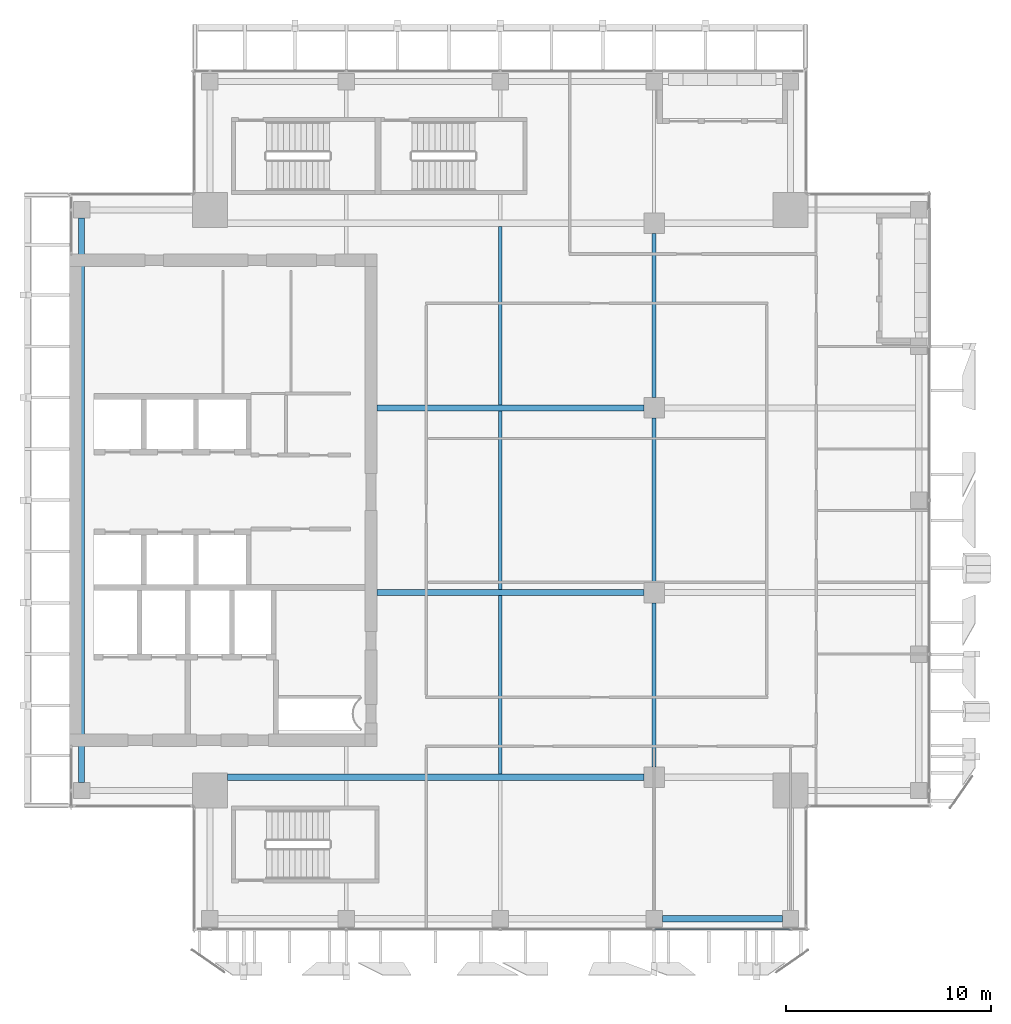
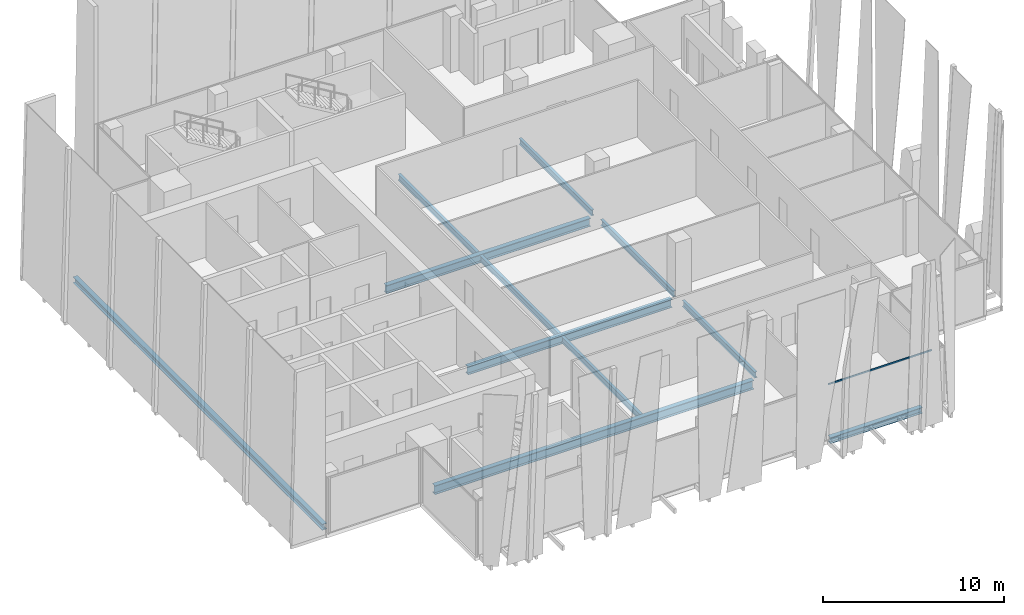
# One storey, part 7 of 33: 11 beams, 1 member, 1 element without a shape of its own.
"""IFC4 building model written with IfcOpenShell, lengths in metres."""

from ifc_helpers import new_model, si_unit, direction, frame, origin, origin_2d, place, context, subcontext, project, spatial, hollow_rectangle, i_section, extrude, source, transform, mapped, material, material_profile, profile_set, type_object, element, aggregate, save


model = new_model("IFC4")

# Units and contexts
model_context = context("Model", 3, precision=1e-05, world=origin(), true_north=direction((0.0, 1.0)))
body_context = subcontext(model_context, "Body", "Model", "MODEL_VIEW")
ifc_project = project(units=[si_unit("LENGTHUNIT", "METRE"), si_unit("AREAUNIT", "SQUARE_METRE"), si_unit("VOLUMEUNIT", "CUBIC_METRE"), si_unit("PLANEANGLEUNIT", "RADIAN"), si_unit("MASSUNIT", "GRAM", prefix="KILO")], contexts=[model_context])

# Site, building, storey
site_placement = place(None, origin())
site = spatial("IfcSite", under=ifc_project, at=site_placement, CompositionType="ELEMENT")
building_placement = place(site_placement, origin())
building = spatial("IfcBuilding", under=site, at=building_placement, Name="Khomas Fold Tower", CompositionType="ELEMENT")
storey_placement = place(building_placement, frame((0.0, 0.0, 294.199951171875)))
storey = spatial("IfcBuildingStorey", under=building, at=storey_placement, Name="L66", CompositionType="ELEMENT", Elevation=294.199951171875)

# Beams
ifc_material_1 = material(Name="Steel S355", Category="steel")
ifc_material_profile_1 = material_profile(ifc_material_1, i_section(OverallWidth=0.179931640625, OverallDepth=0.39990234375, WebThickness=0.008544921875, FlangeThickness=0.013427734375, at=origin_2d()), Name="IPE 400")
ifc_profile_set_1 = profile_set([ifc_material_profile_1], Name="Steel S355")
beam_type_1 = type_object("IfcBeamType", Name="IPE 400 beam JB3", PredefinedType="BEAM", material=ifc_profile_set_1)
shared_shape_1 = source(origin(), body_context, "Body", "SweptSolid", [
    extrude(i_section(OverallWidth=0.179931640625, OverallDepth=0.39990234375, WebThickness=0.008544921875, FlangeThickness=0.013427734375, at=origin_2d()), origin(), (0.0, 0.0, 1.0), 8.7001953125),
])
for number, where, z_axis, x_axis, name in (
    (1, (27.0, 13.64990234375, -0.449951171875), (0.0, 1.0, 0.0), (-1.0, 0.0, 0.0), "JB3"),
    (2, (27.0, 22.64990234375, -0.449951171875), (0.0, 1.0, 0.0), (-1.0, 0.0, 0.0), "JB3"),
    (3, (27.0, 31.64990234375, -0.449951171875), (0.0, 1.0, 0.0), (-1.0, 0.0, 0.0), "JB3"),
):
    element("IfcBeam", number, at=place(storey_placement, frame(where, z_axis=z_axis, x_axis=x_axis)), inside=storey, type_object=beam_type_1, Name=name, PredefinedType="BEAM", context=body_context, shape_type="MappedRepresentation", body=[
        mapped(shared_shape_1, transform((0.0, 0.0, 0.0))),
    ])
ifc_material_2 = material(Name="Steel S355", Category="steel")
ifc_material_profile_2 = material_profile(ifc_material_2, i_section(OverallWidth=0.300048828125, OverallDepth=0.39990234375, WebThickness=0.013427734375, FlangeThickness=0.02392578125, at=origin_2d()), Name="HE 400 B")
ifc_profile_set_2 = profile_set([ifc_material_profile_2], Name="Steel S355")
beam_type_2 = type_object("IfcBeamType", Name="HE 400 B spandrel SB5", PredefinedType="SPANDREL", material=ifc_profile_set_2)
shared_shape_2 = source(origin(), body_context, "Body", "SweptSolid", [
    extrude(i_section(OverallWidth=0.300048828125, OverallDepth=0.39990234375, WebThickness=0.013427734375, FlangeThickness=0.02392578125, at=origin_2d()), origin(), (0.0, 0.0, 1.0), 5.85009765625),
])
beam_1_placement = place(storey_placement, frame((34.89990234375, 6.60009765625, -0.449951171875), z_axis=(1.0, 0.0, 0.0), x_axis=(0.0, 1.0, 0.0)))
element("IfcBeam", 4, at=beam_1_placement, inside=storey, type_object=beam_type_2, Name="SB5", PredefinedType="SPANDREL", context=body_context, shape_type="MappedRepresentation", body=[
    mapped(shared_shape_2, transform((0.0, 0.0, 0.0))),
])
shared_shape_3 = source(origin(), body_context, "Body", "SweptSolid", [
    extrude(i_section(OverallWidth=0.300048828125, OverallDepth=0.39990234375, WebThickness=0.013427734375, FlangeThickness=0.02392578125, at=origin_2d()), origin(), (0.0, 0.0, 1.0), 27.5),
])
beam_2_placement = place(storey_placement, frame((6.60009765625, 13.25, -0.449951171875), z_axis=(0.0, 1.0, 0.0), x_axis=(-1.0, 0.0, 0.0)))
element("IfcBeam", 5, at=beam_2_placement, inside=storey, type_object=beam_type_2, Name="SB5", PredefinedType="SPANDREL", context=body_context, shape_type="MappedRepresentation", body=[
    mapped(shared_shape_3, transform((0.0, 0.0, 0.0))),
])
ifc_material_3 = material(Name="Steel S355", Category="steel")
ifc_material_profile_3 = material_profile(ifc_material_3, i_section(OverallWidth=0.300048828125, OverallDepth=0.60009765625, WebThickness=0.015380859375, FlangeThickness=0.030029296875, at=origin_2d()), Name="HE 600 B")
ifc_profile_set_3 = profile_set([ifc_material_profile_3], Name="Steel S355")
beam_type_3 = type_object("IfcBeamType", Name="HE 600 B beam GB5", PredefinedType="BEAM", material=ifc_profile_set_3)
shared_shape_4 = source(origin(), body_context, "Body", "SweptSolid", [
    extrude(i_section(OverallWidth=0.300048828125, OverallDepth=0.60009765625, WebThickness=0.015380859375, FlangeThickness=0.030029296875, at=origin_2d()), origin(), (0.0, 0.0, 1.0), 20.300048828125),
])
beam_3_placement = place(storey_placement, frame((13.699951171875, 13.5, -0.550048828125), z_axis=(1.0, 0.0, 0.0), x_axis=(0.0, 1.0, 0.0)))
element("IfcBeam", 6, at=beam_3_placement, inside=storey, type_object=beam_type_3, Name="GB5", PredefinedType="BEAM", context=body_context, shape_type="MappedRepresentation", body=[
    mapped(shared_shape_4, transform((0.0, 0.0, 0.0))),
])
ifc_material_4 = material(Name="Steel S355", Category="steel")
ifc_material_profile_4 = material_profile(ifc_material_4, i_section(OverallWidth=0.300048828125, OverallDepth=0.550048828125, WebThickness=0.014892578125, FlangeThickness=0.029052734375, at=origin_2d()), Name="HE 550 B")
ifc_profile_set_4 = profile_set([ifc_material_profile_4], Name="Steel S355")
beam_type_4 = type_object("IfcBeamType", Name="HE 550 B beam GB4", PredefinedType="BEAM", material=ifc_profile_set_4)
shared_shape_5 = source(origin(), body_context, "Body", "SweptSolid", [
    extrude(i_section(OverallWidth=0.300048828125, OverallDepth=0.550048828125, WebThickness=0.014892578125, FlangeThickness=0.029052734375, at=origin_2d()), origin(), (0.0, 0.0, 1.0), 13.0),
])
for number, where, z_axis, x_axis, name in (
    (7, (21.0, 22.5, -0.52490234375), (1.0, 0.0, 0.0), (0.0, 1.0, 0.0), "GB4"),
    (8, (21.0, 31.5, -0.52490234375), (1.0, 0.0, 0.0), (0.0, 1.0, 0.0), "GB4"),
):
    element("IfcBeam", number, at=place(storey_placement, frame(where, z_axis=z_axis, x_axis=x_axis)), inside=storey, type_object=beam_type_4, Name=name, PredefinedType="BEAM", context=body_context, shape_type="MappedRepresentation", body=[
        mapped(shared_shape_5, transform((0.0, 0.0, 0.0))),
    ])
shared_shape_6 = source(origin(), body_context, "Body", "SweptSolid", [
    extrude(i_section(OverallWidth=0.179931640625, OverallDepth=0.39990234375, WebThickness=0.008544921875, FlangeThickness=0.013427734375, at=origin_2d()), origin(), (0.0, 0.0, 1.0), 8.0),
])
for number, where, z_axis, x_axis, name in (
    (9, (34.5, 14.0, -0.449951171875), (0.0, 1.0, 0.0), (-1.0, 0.0, 0.0), "JB3"),
    (10, (34.5, 23.0, -0.449951171875), (0.0, 1.0, 0.0), (-1.0, 0.0, 0.0), "JB3"),
    (11, (34.5, 32.0, -0.449951171875), (0.0, 1.0, 0.0), (-1.0, 0.0, 0.0), "JB3"),
):
    element("IfcBeam", number, at=place(storey_placement, frame(where, z_axis=z_axis, x_axis=x_axis)), inside=storey, type_object=beam_type_1, Name=name, PredefinedType="BEAM", context=body_context, shape_type="MappedRepresentation", body=[
        mapped(shared_shape_6, transform((0.0, 0.0, 0.0))),
    ])

# Curtain wall, member
ifc_material_5 = material(Name="Aluminium framed double glazing", Category="aluminium")
curtain_wall_type = type_object("IfcCurtainWallType", Name="SK-Unitised clear-glass wall, upper floors CW3", PredefinedType="NOTDEFINED", material=ifc_material_5)
curtain_wall_placement = place(storey_placement, origin())
curtain_wall = element("IfcCurtainWall", 12, at=curtain_wall_placement, inside=storey, type_object=curtain_wall_type, Name="CW3 run L66 00-0", PredefinedType="NOTDEFINED")
ifc_material_6 = material(Name="Aluminium", Category="aluminium")
ifc_material_profile_5 = material_profile(ifc_material_6, hollow_rectangle(XDim=0.050048828125, YDim=0.10009765625, WallThickness=0.00390625, at=origin_2d()), Name="SK-Unitised clear-glass wall, upper floors transom CW3-T")
ifc_profile_set_5 = profile_set([ifc_material_profile_5], Name="Aluminium")
member_type = type_object("IfcMemberType", Name="SK-Unitised clear-glass wall, upper floors transom CW3-T", PredefinedType="USERDEFINED", material=ifc_profile_set_5)
shared_shape_7 = source(origin(), body_context, "Body", "SweptSolid", [
    extrude(hollow_rectangle(XDim=0.050048828125, YDim=0.10009765625, WallThickness=0.00390625, at=origin_2d()), origin(), (0.0, 0.0, 1.0), 6.60009765625),
])
member_placement = place(storey_placement, frame((34.52490234375, 6.10009765625, 3.699951171875), z_axis=(1.0, 0.0, 0.0), x_axis=(0.0, 1.0, 0.0)))
member = element("IfcMember", 13, at=member_placement, type_object=member_type, Name="CW3 transom 5", ObjectType="TRANSOM", PredefinedType="USERDEFINED", context=body_context, shape_type="MappedRepresentation", body=[
    mapped(shared_shape_7, transform((0.0, 0.0, 0.0))),
])
aggregate(curtain_wall, [member])

save(model, "model.ifc")
